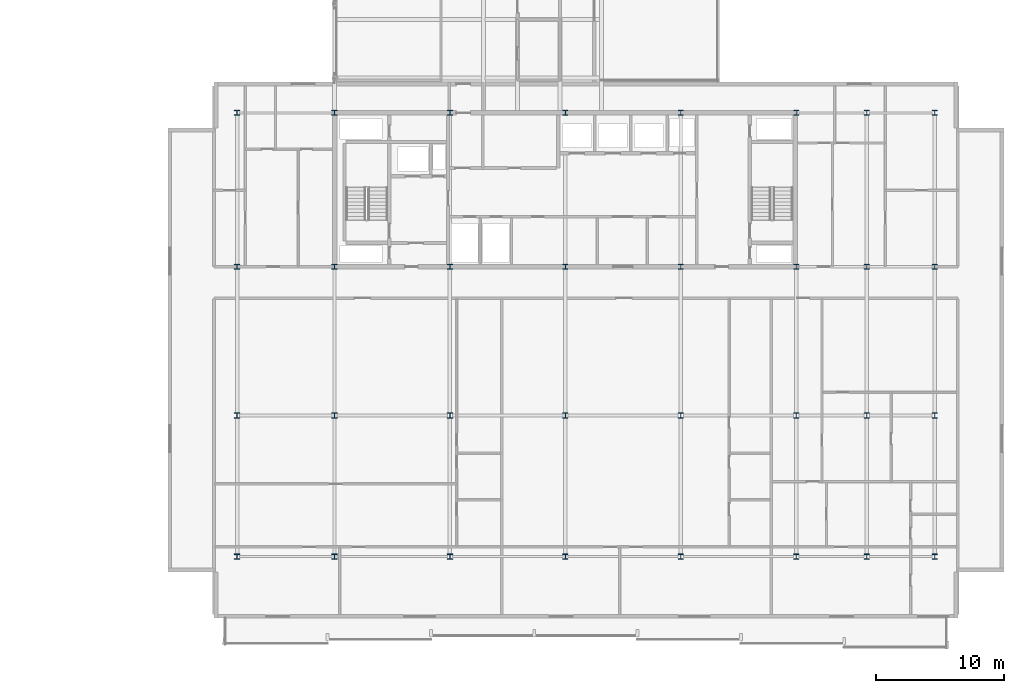
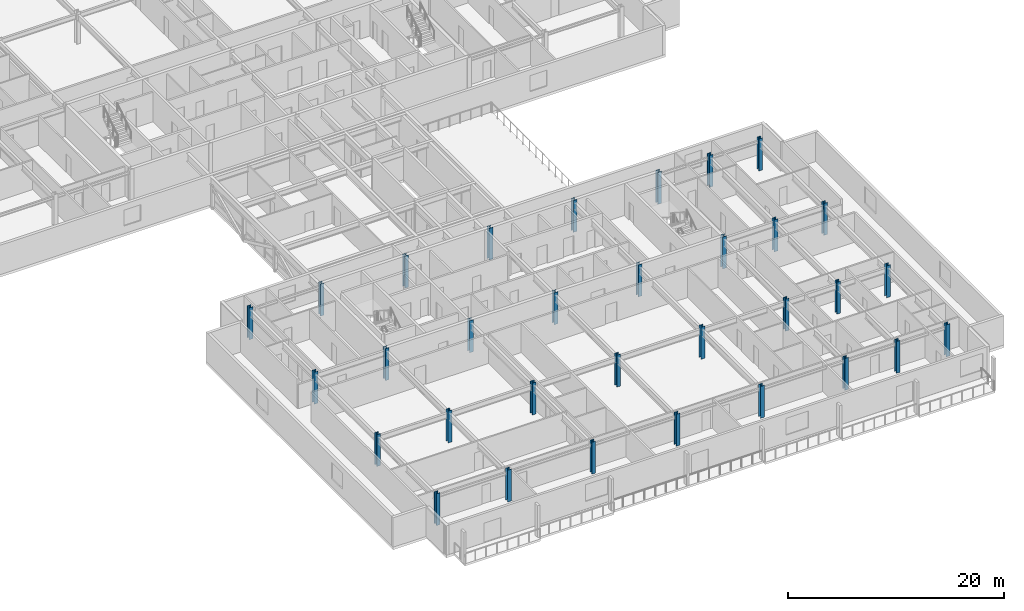
# One storey, part 1 of 28: 32 columns.
"""IFC4 building model written with IfcOpenShell, lengths in metres."""

from ifc_helpers import new_model, si_unit, direction, frame, origin, origin_2d, place, context, subcontext, project, spatial, i_section, extrude, material, material_profile, profile_set, type_object, element, save


model = new_model("IFC4")

# Units and contexts
model_context = context("Model", 3, precision=1e-05, world=origin(), true_north=direction((0.0, 1.0)))
body_context = subcontext(model_context, "Body", "Model", "MODEL_VIEW")
ifc_project = project(units=[si_unit("LENGTHUNIT", "METRE"), si_unit("AREAUNIT", "SQUARE_METRE"), si_unit("VOLUMEUNIT", "CUBIC_METRE"), si_unit("PLANEANGLEUNIT", "RADIAN"), si_unit("MASSUNIT", "GRAM", prefix="KILO")], contexts=[model_context])

# Site, building, storey
site_placement = place(None, origin())
site = spatial("IfcSite", under=ifc_project, at=site_placement, CompositionType="ELEMENT")
building_placement = place(site_placement, origin())
building = spatial("IfcBuilding", under=site, at=building_placement, Name="Korimba Cascade Residences", CompositionType="ELEMENT")
storey_placement = place(building_placement, frame((0.0, 0.0, 153.699951171875)))
storey = spatial("IfcBuildingStorey", under=building, at=storey_placement, Name="L44", CompositionType="ELEMENT", Elevation=153.699951171875)

# Columns
ifc_material = material(Name="Steel S460", Category="steel")
ifc_material_profile = material_profile(ifc_material, i_section(OverallWidth=0.403076171875, OverallDepth=0.406494140625, WebThickness=0.026611328125, FlangeThickness=0.04296875, FilletRadius=0.01513671875, at=origin_2d()), Name="Steel S460")
ifc_profile_set = profile_set([ifc_material_profile], Name="Steel S460")
column_type = type_object("IfcColumnType", Name="COL-STL-UC340", PredefinedType="COLUMN", material=ifc_profile_set)
for number, where, z_axis, x_axis, name in (
    (1, (74.5, -4.199951171875, 0.0), (0.0, 0.0, 1.0), (1.0, 0.0, 0.0), "L44 Tower 2 Column 1.1"),
    (2, (74.5, 6.800048828125, 0.0), (0.0, 0.0, 1.0), (1.0, 0.0, 0.0), "L44 Tower 2 Column 1.2"),
    (3, (74.5, 18.39990234375, 0.0), (0.0, 0.0, 1.0), (1.0, 0.0, 0.0), "L44 Tower 2 Column 1.3"),
    (4, (74.5, 30.39990234375, 0.0), (0.0, 0.0, 1.0), (1.0, 0.0, 0.0), "L44 Tower 2 Column 1.4"),
    (5, (82.10009765625, -4.199951171875, 0.0), (0.0, 0.0, 1.0), (1.0, 0.0, 0.0), "L44 Tower 2 Column 2.1"),
    (6, (82.10009765625, 6.800048828125, 0.0), (0.0, 0.0, 1.0), (1.0, 0.0, 0.0), "L44 Tower 2 Column 2.2"),
    (7, (82.10009765625, 18.39990234375, 0.0), (0.0, 0.0, 1.0), (1.0, 0.0, 0.0), "L44 Tower 2 Column 2.3"),
    (8, (82.10009765625, 30.39990234375, 0.0), (0.0, 0.0, 1.0), (1.0, 0.0, 0.0), "L44 Tower 2 Column 2.4"),
    (9, (91.10009765625, -4.199951171875, 0.0), (0.0, 0.0, 1.0), (1.0, 0.0, 0.0), "L44 Tower 2 Column 3.1"),
    (10, (91.10009765625, 6.800048828125, 0.0), (0.0, 0.0, 1.0), (1.0, 0.0, 0.0), "L44 Tower 2 Column 3.2"),
    (11, (91.10009765625, 18.39990234375, 0.0), (0.0, 0.0, 1.0), (1.0, 0.0, 0.0), "L44 Tower 2 Column 3.3"),
    (12, (91.10009765625, 30.39990234375, 0.0), (0.0, 0.0, 1.0), (1.0, 0.0, 0.0), "L44 Tower 2 Column 3.4"),
    (13, (100.10009765625, -4.199951171875, 0.0), (0.0, 0.0, 1.0), (1.0, 0.0, 0.0), "L44 Tower 2 Column 4.1"),
    (14, (100.10009765625, 6.800048828125, 0.0), (0.0, 0.0, 1.0), (1.0, 0.0, 0.0), "L44 Tower 2 Column 4.2"),
    (15, (100.10009765625, 18.39990234375, 0.0), (0.0, 0.0, 1.0), (1.0, 0.0, 0.0), "L44 Tower 2 Column 4.3"),
    (16, (100.10009765625, 30.39990234375, 0.0), (0.0, 0.0, 1.0), (1.0, 0.0, 0.0), "L44 Tower 2 Column 4.4"),
    (17, (109.10009765625, -4.199951171875, 0.0), (0.0, 0.0, 1.0), (1.0, 0.0, 0.0), "L44 Tower 2 Column 5.1"),
    (18, (109.10009765625, 6.800048828125, 0.0), (0.0, 0.0, 1.0), (1.0, 0.0, 0.0), "L44 Tower 2 Column 5.2"),
    (19, (109.10009765625, 18.39990234375, 0.0), (0.0, 0.0, 1.0), (1.0, 0.0, 0.0), "L44 Tower 2 Column 5.3"),
    (20, (109.10009765625, 30.39990234375, 0.0), (0.0, 0.0, 1.0), (1.0, 0.0, 0.0), "L44 Tower 2 Column 5.4"),
    (21, (118.10009765625, -4.199951171875, 0.0), (0.0, 0.0, 1.0), (1.0, 0.0, 0.0), "L44 Tower 2 Column 6.1"),
    (22, (118.10009765625, 6.800048828125, 0.0), (0.0, 0.0, 1.0), (1.0, 0.0, 0.0), "L44 Tower 2 Column 6.2"),
    (23, (118.10009765625, 18.39990234375, 0.0), (0.0, 0.0, 1.0), (1.0, 0.0, 0.0), "L44 Tower 2 Column 6.3"),
    (24, (118.10009765625, 30.39990234375, 0.0), (0.0, 0.0, 1.0), (1.0, 0.0, 0.0), "L44 Tower 2 Column 6.4"),
    (25, (123.60009765625, -4.199951171875, 0.0), (0.0, 0.0, 1.0), (1.0, 0.0, 0.0), "L44 Tower 2 Column 7.1"),
    (26, (123.60009765625, 6.800048828125, 0.0), (0.0, 0.0, 1.0), (1.0, 0.0, 0.0), "L44 Tower 2 Column 7.2"),
    (27, (123.60009765625, 18.39990234375, 0.0), (0.0, 0.0, 1.0), (1.0, 0.0, 0.0), "L44 Tower 2 Column 7.3"),
    (28, (123.60009765625, 30.39990234375, 0.0), (0.0, 0.0, 1.0), (1.0, 0.0, 0.0), "L44 Tower 2 Column 7.4"),
    (29, (128.89990234375, -4.199951171875, 0.0), (0.0, 0.0, 1.0), (1.0, 0.0, 0.0), "L44 Tower 2 Column 8.1"),
    (30, (128.89990234375, 6.800048828125, 0.0), (0.0, 0.0, 1.0), (1.0, 0.0, 0.0), "L44 Tower 2 Column 8.2"),
    (31, (128.89990234375, 18.39990234375, 0.0), (0.0, 0.0, 1.0), (1.0, 0.0, 0.0), "L44 Tower 2 Column 8.3"),
    (32, (128.89990234375, 30.39990234375, 0.0), (0.0, 0.0, 1.0), (1.0, 0.0, 0.0), "L44 Tower 2 Column 8.4"),
):
    element("IfcColumn", number, at=place(storey_placement, frame(where, z_axis=z_axis, x_axis=x_axis)), inside=storey, type_object=column_type, Name=name, PredefinedType="COLUMN", context=body_context, shape_type="SweptSolid", body=[
        extrude(i_section(OverallWidth=0.403076171875, OverallDepth=0.406494140625, WebThickness=0.026611328125, FlangeThickness=0.04296875, FilletRadius=0.01513671875, at=origin_2d()), origin(), (0.0, 0.0, 1.0), 3.60009765625),
    ])

save(model, "model.ifc")
